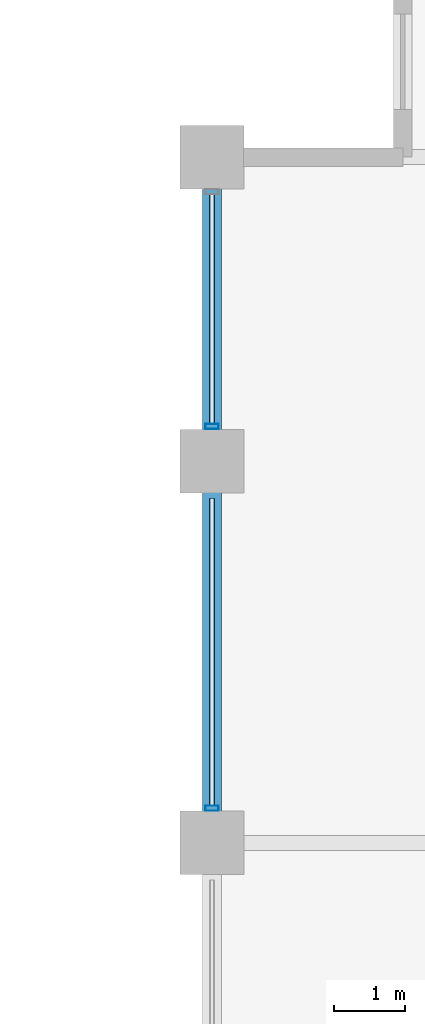
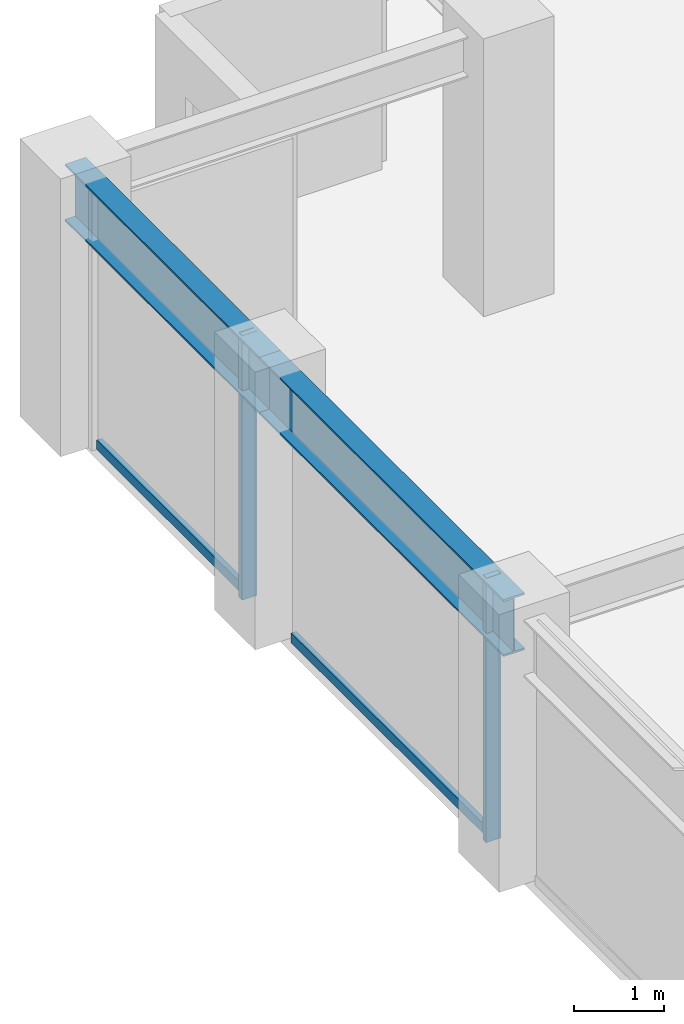
# One storey, part 13 of 28: 4 members, 2 beams, 1 element without a shape of its own.
"""IFC4 building model written with IfcOpenShell, lengths in metres."""

from ifc_helpers import new_model, si_unit, direction, frame, origin, origin_2d, place, context, subcontext, project, spatial, hollow_rectangle, i_section, extrude, material, layer, layer_set, material_profile, profile_set, type_object, element, aggregate, save


model = new_model("IFC4")

# Units and contexts
model_context = context("Model", 3, precision=1e-05, world=origin(), true_north=direction((0.0, 1.0)))
body_context = subcontext(model_context, "Body", "Model", "MODEL_VIEW")
ifc_project = project(units=[si_unit("LENGTHUNIT", "METRE"), si_unit("AREAUNIT", "SQUARE_METRE"), si_unit("VOLUMEUNIT", "CUBIC_METRE"), si_unit("PLANEANGLEUNIT", "RADIAN"), si_unit("MASSUNIT", "GRAM", prefix="KILO")], contexts=[model_context])

# Site, building, storey
site_placement = place(None, origin())
site = spatial("IfcSite", under=ifc_project, at=site_placement, CompositionType="ELEMENT")
building_placement = place(site_placement, origin())
building = spatial("IfcBuilding", under=site, at=building_placement, Name="Surkhivell Harbour Commons", CompositionType="ELEMENT")
storey_placement = place(building_placement, frame((0.0, 0.0, 174.75)))
storey = spatial("IfcBuildingStorey", under=building, at=storey_placement, Name="L45", CompositionType="ELEMENT", Elevation=174.75)

# Beams
ifc_material_1 = material(Name="Steel S355", Category="steel")
ifc_material_profile_1 = material_profile(ifc_material_1, i_section(OverallWidth=0.26806640625, OverallDepth=0.77001953125, WebThickness=0.015625, FlangeThickness=0.025390625, at=origin_2d()), Name="UB762x267x197")
ifc_profile_set_1 = profile_set([ifc_material_profile_1], Name="Steel S355")
beam_type = type_object("IfcBeamType", Name="BM-SPN-762", PredefinedType="SPANDREL", material=ifc_profile_set_1)
beam_1_placement = place(storey_placement, frame((-27.0, 10.800048828125, 3.18505859375), z_axis=(0.0, 1.0, 0.0), x_axis=(-1.0, 0.0, 0.0)))
element("IfcBeam", 1, at=beam_1_placement, inside=storey, type_object=beam_type, Name="L45 Tube Spandrel (-27.0,10.8)", PredefinedType="SPANDREL", context=body_context, shape_type="SweptSolid", body=[
    extrude(i_section(OverallWidth=0.26806640625, OverallDepth=0.77001953125, WebThickness=0.015625, FlangeThickness=0.025390625, at=origin_2d()), origin(), (0.0, 0.0, 1.0), 5.39990234375),
])
beam_2_placement = place(storey_placement, frame((-27.0, 16.199951171875, 3.18505859375), z_axis=(0.0, 1.0, 0.0), x_axis=(-1.0, 0.0, 0.0)))
element("IfcBeam", 2, at=beam_2_placement, inside=storey, type_object=beam_type, Name="L45 Tube Spandrel (-27.0,16.2)", PredefinedType="SPANDREL", context=body_context, shape_type="SweptSolid", body=[
    extrude(i_section(OverallWidth=0.26806640625, OverallDepth=0.77001953125, WebThickness=0.015625, FlangeThickness=0.025390625, at=origin_2d()), origin(), (0.0, 0.0, 1.0), 4.300048828125),
])

# Curtain wall, members
ifc_material_2 = material(Name="Anodised pale-metal aluminium and insulated glazing", Category="aluminium")
ifc_layer = layer(ifc_material_2, 0.18994140625)
ifc_layer_set = layer_set([ifc_layer], Name="Anodised pale-metal aluminium and insulated glazing")
curtain_wall_type = type_object("IfcCurtainWallType", Name="CW-SYS-Z3", PredefinedType="NOTDEFINED", material=ifc_layer_set)
curtain_wall_placement = place(storey_placement, origin())
curtain_wall = element("IfcCurtainWall", 3, at=curtain_wall_placement, inside=storey, type_object=curtain_wall_type, Name="L45 Curtain Wall CW-L45-E12R2", PredefinedType="NOTDEFINED")
ifc_material_3 = material(Name="Anodised pale-metal aluminium alloy 6063-T6", Category="aluminium")
ifc_material_profile_2 = material_profile(ifc_material_3, hollow_rectangle(XDim=0.074951171875, YDim=0.18994140625, WallThickness=0.00390625, at=origin_2d()), Name="ALU-MULL-75x190")
ifc_profile_set_2 = profile_set([ifc_material_profile_2], Name="Anodised pale-metal aluminium alloy 6063-T6")
member_type_1 = type_object("IfcMemberType", Name="CWM-190", PredefinedType="MULLION", material=ifc_profile_set_2)
member_1_placement = place(storey_placement, frame((-27.0, 11.28955078125, 0.0), z_axis=(0.0, 0.0, 1.0), x_axis=(0.0, 1.0, 0.0)))
member_1 = element("IfcMember", 4, at=member_1_placement, type_object=member_type_1, Name="CW-Z3 mullion 2", PredefinedType="MULLION", context=body_context, shape_type="SweptSolid", body=[
    extrude(hollow_rectangle(XDim=0.074951171875, YDim=0.18994140625, WallThickness=0.00390625, at=origin_2d()), origin(), (0.0, 0.0, 1.0), 3.570068359375),
])
member_2_placement = place(storey_placement, frame((-27.0, 16.689453125, 0.0), z_axis=(0.0, 0.0, 1.0), x_axis=(0.0, 1.0, 0.0)))
member_2 = element("IfcMember", 5, at=member_2_placement, type_object=member_type_1, Name="CW-Z3 mullion 3", PredefinedType="MULLION", context=body_context, shape_type="SweptSolid", body=[
    extrude(hollow_rectangle(XDim=0.074951171875, YDim=0.18994140625, WallThickness=0.00390625, at=origin_2d()), origin(), (0.0, 0.0, 1.0), 3.570068359375),
])
ifc_material_4 = material(Name="Champagne anodised aluminium alloy 6063-T6", Category="aluminium")
ifc_material_profile_3 = material_profile(ifc_material_4, hollow_rectangle(XDim=0.070068359375, YDim=0.1298828125, WallThickness=0.00341796875, at=origin_2d()), Name="ALU-TRAN-70x130")
ifc_profile_set_3 = profile_set([ifc_material_profile_3], Name="Champagne anodised aluminium alloy 6063-T6")
member_type_2 = type_object("IfcMemberType", Name="CWT-130", PredefinedType="USERDEFINED", material=ifc_profile_set_3)
member_3_placement = place(storey_placement, frame((-27.0, 11.326904296875, 0.06494140625), z_axis=(0.0, 1.0, 0.0), x_axis=(-1.0, 0.0, 0.0)))
member_3 = element("IfcMember", 6, at=member_3_placement, type_object=member_type_2, Name="CW-Z3 transom 2.1", ObjectType="TRANSOM", PredefinedType="USERDEFINED", context=body_context, shape_type="SweptSolid", body=[
    extrude(hollow_rectangle(XDim=0.070068359375, YDim=0.1298828125, WallThickness=0.00341796875, at=origin_2d()), origin(), (0.0, 0.0, 1.0), 4.34619140625),
])
member_4_placement = place(storey_placement, frame((-27.0, 16.72705078125, 0.06494140625), z_axis=(0.0, 1.0, 0.0), x_axis=(-1.0, 0.0, 0.0)))
member_4 = element("IfcMember", 7, at=member_4_placement, type_object=member_type_2, Name="CW-Z3 transom 3.1", ObjectType="TRANSOM", PredefinedType="USERDEFINED", context=body_context, shape_type="SweptSolid", body=[
    extrude(hollow_rectangle(XDim=0.070068359375, YDim=0.1298828125, WallThickness=0.00341796875, at=origin_2d()), origin(), (0.0, 0.0, 1.0), 3.245849609375),
])
aggregate(curtain_wall, [member_1, member_3, member_2, member_4])

save(model, "model.ifc")
